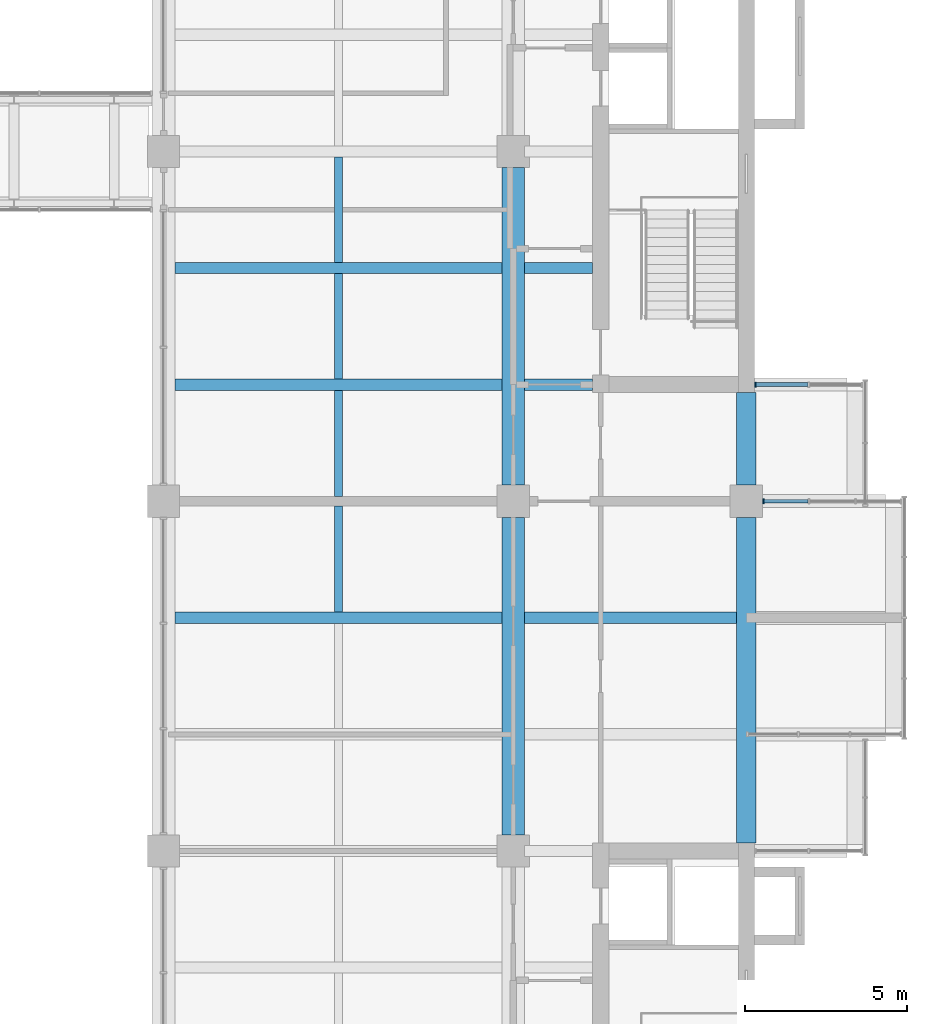
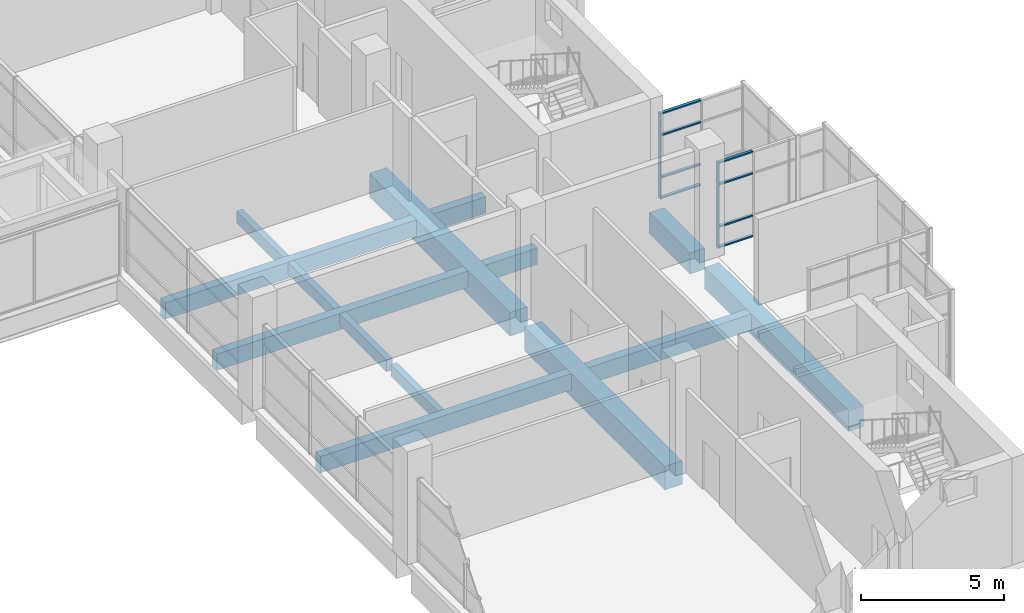
# One storey, part 7 of 35: 14 beams, 10 members, 2 elements without a shape of their own.
"""IFC4 building model written with IfcOpenShell, lengths in metres."""

from ifc_helpers import new_model, si_unit, direction, frame, origin, origin_2d, place, context, subcontext, project, spatial, rectangle, extrude, material, layer, layer_set, material_profile, profile_set, type_object, element, aggregate, save


model = new_model("IFC4")

# Units and contexts
model_context = context("Model", 3, precision=1e-05, world=origin(), true_north=direction((0.0, 1.0)))
body_context = subcontext(model_context, "Body", "Model", "MODEL_VIEW")
ifc_project = project(units=[si_unit("LENGTHUNIT", "METRE"), si_unit("AREAUNIT", "SQUARE_METRE"), si_unit("VOLUMEUNIT", "CUBIC_METRE"), si_unit("PLANEANGLEUNIT", "RADIAN"), si_unit("MASSUNIT", "GRAM", prefix="KILO")], contexts=[model_context])

# Site, building, storey
site_placement = place(None, origin())
site = spatial("IfcSite", under=ifc_project, at=site_placement, CompositionType="ELEMENT")
building_placement = place(site_placement, origin())
building = spatial("IfcBuilding", under=site, at=building_placement, Name="Basin Gate Institute", CompositionType="ELEMENT")
storey_placement = place(building_placement, frame((0.0, 0.0, 31.800048828125)))
storey = spatial("IfcBuildingStorey", under=building, at=storey_placement, Name="L06", CompositionType="ELEMENT", Elevation=31.800048828125)

# Beams
ifc_material_1 = material(Name="Concrete 40 MPa", Category="concrete")
ifc_material_profile_1 = material_profile(ifc_material_1, rectangle(XDim=0.35009765625, YDim=0.699951171875, at=origin_2d()), Name="Beam B1 350 x 700")
ifc_profile_set_1 = profile_set([ifc_material_profile_1], Name="Concrete 40 MPa")
beam_type_1 = type_object("IfcBeamType", Name="Beam B1 R120", PredefinedType="BEAM", material=ifc_profile_set_1)
beam_1_placement = place(storey_placement, frame((111.25, 53.10009765625, -0.60009765625), z_axis=(-1.0, 0.0, 0.0), x_axis=(0.0, -1.0, 0.0)))
element("IfcBeam", 1, at=beam_1_placement, inside=storey, type_object=beam_type_1, material=ifc_profile_set_1, Name="BEAM/L06/E/EW/06", PredefinedType="BEAM", context=body_context, shape_type="SweptSolid", body=[
    extrude(rectangle(XDim=0.35009765625, YDim=0.699951171875, at=origin_2d()), origin(), (0.0, 0.0, 1.0), 10.10009765625),
])
beam_2_placement = place(storey_placement, frame((118.5, 53.10009765625, -0.60009765625), z_axis=(-1.0, 0.0, 0.0), x_axis=(0.0, -1.0, 0.0)))
element("IfcBeam", 2, at=beam_2_placement, inside=storey, type_object=beam_type_1, material=ifc_profile_set_1, Name="BEAM/L06/E/OUT/06", PredefinedType="BEAM", context=body_context, shape_type="SweptSolid", body=[
    extrude(rectangle(XDim=0.35009765625, YDim=0.699951171875, at=origin_2d()), origin(), (0.0, 0.0, 1.0), 6.550048828125),
])
beam_3_placement = place(storey_placement, frame((111.25, 60.300048828125, -0.60009765625), z_axis=(-1.0, 0.0, 0.0), x_axis=(0.0, -1.0, 0.0)))
element("IfcBeam", 3, at=beam_3_placement, inside=storey, type_object=beam_type_1, material=ifc_profile_set_1, Name="BEAM/L06/E/EW/08", PredefinedType="BEAM", context=body_context, shape_type="SweptSolid", body=[
    extrude(rectangle(XDim=0.35009765625, YDim=0.699951171875, at=origin_2d()), origin(), (0.0, 0.0, 1.0), 10.10009765625),
])
beam_4_placement = place(storey_placement, frame((114.050048828125, 60.300048828125, -0.60009765625), z_axis=(-1.0, 0.0, 0.0), x_axis=(0.0, -1.0, 0.0)))
element("IfcBeam", 4, at=beam_4_placement, inside=storey, type_object=beam_type_1, material=ifc_profile_set_1, Name="BEAM/L06/E/CORR/08", PredefinedType="BEAM", context=body_context, shape_type="SweptSolid", body=[
    extrude(rectangle(XDim=0.35009765625, YDim=0.699951171875, at=origin_2d()), origin(), (0.0, 0.0, 1.0), 2.10009765625),
])
beam_5_placement = place(storey_placement, frame((111.25, 63.89990234375, -0.60009765625), z_axis=(-1.0, 0.0, 0.0), x_axis=(0.0, -1.0, 0.0)))
element("IfcBeam", 5, at=beam_5_placement, inside=storey, type_object=beam_type_1, material=ifc_profile_set_1, Name="BEAM/L06/E/EW/09", PredefinedType="BEAM", context=body_context, shape_type="SweptSolid", body=[
    extrude(rectangle(XDim=0.35009765625, YDim=0.699951171875, at=origin_2d()), origin(), (0.0, 0.0, 1.0), 10.10009765625),
])
beam_6_placement = place(storey_placement, frame((114.050048828125, 63.89990234375, -0.60009765625), z_axis=(-1.0, 0.0, 0.0), x_axis=(0.0, -1.0, 0.0)))
element("IfcBeam", 6, at=beam_6_placement, inside=storey, type_object=beam_type_1, material=ifc_profile_set_1, Name="BEAM/L06/E/CORR/09", PredefinedType="BEAM", context=body_context, shape_type="SweptSolid", body=[
    extrude(rectangle(XDim=0.35009765625, YDim=0.699951171875, at=origin_2d()), origin(), (0.0, 0.0, 1.0), 2.10009765625),
])
ifc_material_2 = material(Name="Concrete 50 MPa", Category="concrete")
ifc_material_profile_2 = material_profile(ifc_material_2, rectangle(XDim=0.60009765625, YDim=0.89990234375, at=origin_2d()), Name="Edge beam EB1 600 x 900")
ifc_profile_set_2 = profile_set([ifc_material_profile_2], Name="Concrete 50 MPa")
beam_type_2 = type_object("IfcBeamType", Name="Edge beam EB1 R120", PredefinedType="SPANDREL", material=ifc_profile_set_2)
beam_7_placement = place(storey_placement, frame((118.800048828125, 46.14990234375, -0.699951171875), z_axis=(0.0, 1.0, 0.0), x_axis=(-1.0, 0.0, 0.0)))
element("IfcBeam", 7, at=beam_7_placement, inside=storey, type_object=beam_type_2, material=ifc_profile_set_2, Name="BEAM/L06/E/EDGE/1", PredefinedType="SPANDREL", context=body_context, shape_type="SweptSolid", body=[
    extrude(rectangle(XDim=0.60009765625, YDim=0.89990234375, at=origin_2d()), origin(), (0.0, 0.0, 1.0), 10.050048828125),
])
ifc_material_3 = material(Name="Concrete 50 MPa", Category="concrete")
ifc_material_profile_3 = material_profile(ifc_material_3, rectangle(XDim=0.60009765625, YDim=0.89990234375, at=origin_2d()), Name="Edge return beam EB3 600 x 900")
ifc_profile_set_3 = profile_set([ifc_material_profile_3], Name="Concrete 50 MPa")
beam_type_3 = type_object("IfcBeamType", Name="Edge return beam EB3 R120", PredefinedType="SPANDREL", material=ifc_profile_set_3)
beam_8_placement = place(storey_placement, frame((118.800048828125, 57.199951171875, -0.699951171875), z_axis=(0.0, 1.0, 0.0), x_axis=(-1.0, 0.0, 0.0)))
element("IfcBeam", 8, at=beam_8_placement, inside=storey, type_object=beam_type_3, material=ifc_profile_set_3, Name="BEAM/L06/E/EDGE/2", PredefinedType="SPANDREL", context=body_context, shape_type="SweptSolid", body=[
    extrude(rectangle(XDim=0.60009765625, YDim=0.89990234375, at=origin_2d()), origin(), (0.0, 0.0, 1.0), 2.85009765625),
])
ifc_material_4 = material(Name="Concrete 50 MPa", Category="concrete")
ifc_material_profile_4 = material_profile(ifc_material_4, rectangle(XDim=0.699951171875, YDim=1.0, at=origin_2d()), Name="Girder G1 700 x 1000")
ifc_profile_set_4 = profile_set([ifc_material_profile_4], Name="Concrete 50 MPa")
beam_type_4 = type_object("IfcBeamType", Name="Girder G1 R120", PredefinedType="BEAM", material=ifc_profile_set_4)
for number, where, z_axis, x_axis, name in (
    (9, (111.60009765625, 46.39990234375, -0.75), (0.0, 1.0, 0.0), (-1.0, 0.0, 0.0), "GIR/L06/E8/2"),
    (10, (111.60009765625, 57.199951171875, -0.75), (0.0, 1.0, 0.0), (-1.0, 0.0, 0.0), "GIR/L06/E8/3"),
):
    element("IfcBeam", number, at=place(storey_placement, frame(where, z_axis=z_axis, x_axis=x_axis)), inside=storey, type_object=beam_type_4, material=ifc_profile_set_4, Name=name, PredefinedType="BEAM", context=body_context, shape_type="SweptSolid", body=[
        extrude(rectangle(XDim=0.699951171875, YDim=1.0, at=origin_2d()), origin(), (0.0, 0.0, 1.0), 9.800048828125),
    ])

# Curtain wall, member
ifc_material_5 = material(Name="Aluminium-framed glazing", Category="aluminium")
ifc_layer = layer(ifc_material_5, 0.14990234375)
ifc_layer_set = layer_set([ifc_layer], Name="Capsule front curtain wall CW1")
curtain_wall_type = type_object("IfcCurtainWallType", Name="Capsule front curtain wall CW1", PredefinedType="NOTDEFINED", material=ifc_layer_set)
curtain_wall_1_placement = place(storey_placement, origin())
curtain_wall_1 = element("IfcCurtainWall", 11, at=curtain_wall_1_placement, inside=storey, type_object=curtain_wall_type, material=ifc_layer_set, Name="Capsule front curtain wall E wing capsule end L06 line 7", PredefinedType="NOTDEFINED")
ifc_material_6 = material(Name="Aluminium", Category="aluminium")
ifc_material_profile_5 = material_profile(ifc_material_6, rectangle(XDim=0.14990234375, YDim=0.050048828125, at=origin_2d()), Name="Mullion MU1 150 x 50")
ifc_profile_set_5 = profile_set([ifc_material_profile_5], Name="Aluminium")
member_type_1 = type_object("IfcMemberType", Name="Mullion MU1", PredefinedType="MULLION", material=ifc_profile_set_5)
member_1_placement = place(storey_placement, frame((119.324951171875, 56.699951171875, 0.0), z_axis=(0.0, 0.0, 1.0), x_axis=(0.0, -1.0, 0.0)))
member_1 = element("IfcMember", 12, at=member_1_placement, type_object=member_type_1, material=ifc_profile_set_5, Name="CW1 mullion 4", PredefinedType="MULLION", context=body_context, shape_type="SweptSolid", body=[
    extrude(rectangle(XDim=0.14990234375, YDim=0.050048828125, at=origin_2d()), origin(), (0.0, 0.0, 1.0), 3.64990234375),
])

curtain_wall_2_placement = place(storey_placement, origin())
curtain_wall_2 = element("IfcCurtainWall", 13, at=curtain_wall_2_placement, inside=storey, type_object=curtain_wall_type, material=ifc_layer_set, Name="Capsule front curtain wall E wing capsule end L06 line 8", PredefinedType="NOTDEFINED")
member_2_placement = place(storey_placement, frame((119.074951171875, 60.300048828125, 0.0), z_axis=(0.0, 0.0, 1.0), x_axis=(0.0, -1.0, 0.0)))
member_2 = element("IfcMember", 14, at=member_2_placement, type_object=member_type_1, material=ifc_profile_set_5, Name="CW1 mullion 3", PredefinedType="MULLION", context=body_context, shape_type="SweptSolid", body=[
    extrude(rectangle(XDim=0.14990234375, YDim=0.050048828125, at=origin_2d()), origin(), (0.0, 0.0, 1.0), 3.64990234375),
])

# Beams
ifc_material_7 = material(Name="Concrete 40 MPa", Category="concrete")
ifc_material_profile_6 = material_profile(ifc_material_7, rectangle(XDim=0.25, YDim=0.5, at=origin_2d()), Name="Rib R1 250 x 500")
ifc_profile_set_6 = profile_set([ifc_material_profile_6], Name="Concrete 40 MPa")
beam_type_5 = type_object("IfcBeamType", Name="Rib R1 R120", PredefinedType="JOIST", material=ifc_profile_set_6)
beam_9_placement = place(storey_placement, frame((106.199951171875, 53.27490234375, -0.5), z_axis=(0.0, 1.0, 0.0), x_axis=(-1.0, 0.0, 0.0)))
element("IfcBeam", 15, at=beam_9_placement, inside=storey, type_object=beam_type_5, material=ifc_profile_set_6, Name="BEAM/L06/E/RIB/06", PredefinedType="JOIST", context=body_context, shape_type="SweptSolid", body=[
    extrude(rectangle(XDim=0.25, YDim=0.5, at=origin_2d()), origin(), (0.0, 0.0, 1.0), 3.275146484375),
])
beam_10_placement = place(storey_placement, frame((106.199951171875, 56.85009765625, -0.5), z_axis=(0.0, 1.0, 0.0), x_axis=(-1.0, 0.0, 0.0)))
element("IfcBeam", 16, at=beam_10_placement, inside=storey, type_object=beam_type_5, material=ifc_profile_set_6, Name="BEAM/L06/E/RIB/07", PredefinedType="JOIST", context=body_context, shape_type="SweptSolid", body=[
    extrude(rectangle(XDim=0.25, YDim=0.5, at=origin_2d()), origin(), (0.0, 0.0, 1.0), 3.27490234375),
])
for number, where, z_axis, x_axis, name in (
    (17, (106.199951171875, 60.47509765625, -0.5), (0.0, 1.0, 0.0), (-1.0, 0.0, 0.0), "BEAM/L06/E/RIB/08"),
    (18, (106.199951171875, 64.074951171875, -0.5), (0.0, 1.0, 0.0), (-1.0, 0.0, 0.0), "BEAM/L06/E/RIB/09"),
):
    element("IfcBeam", number, at=place(storey_placement, frame(where, z_axis=z_axis, x_axis=x_axis)), inside=storey, type_object=beam_type_5, material=ifc_profile_set_6, Name=name, PredefinedType="JOIST", context=body_context, shape_type="SweptSolid", body=[
        extrude(rectangle(XDim=0.25, YDim=0.5, at=origin_2d()), origin(), (0.0, 0.0, 1.0), 3.25),
    ])

# Member
ifc_material_8 = material(Name="Aluminium", Category="aluminium")
ifc_material_profile_7 = material_profile(ifc_material_8, rectangle(XDim=0.1201171875, YDim=0.06005859375, at=origin_2d()), Name="Transom TR1 120 x 60")
ifc_profile_set_7 = profile_set([ifc_material_profile_7], Name="Aluminium")
member_type_2 = type_object("IfcMemberType", Name="Transom TR1", PredefinedType="USERDEFINED", material=ifc_profile_set_7)
member_3_placement = place(storey_placement, frame((120.708251953125, 56.699951171875, 0.030029296875), z_axis=(-1.0, 0.0, 0.0), x_axis=(0.0, -1.0, 0.0)))
member_3 = element("IfcMember", 19, at=member_3_placement, type_object=member_type_2, material=ifc_profile_set_7, Name="CW1 transom 3.1", ObjectType="TRANSOM", PredefinedType="USERDEFINED", context=body_context, shape_type="SweptSolid", body=[
    extrude(rectangle(XDim=0.1201171875, YDim=0.06005859375, at=origin_2d()), origin(), (0.0, 0.0, 1.0), 1.358154296875),
])

member_4_placement = place(storey_placement, frame((120.708251953125, 56.699951171875, 0.89990234375), z_axis=(-1.0, 0.0, 0.0), x_axis=(0.0, -1.0, 0.0)))
member_4 = element("IfcMember", 20, at=member_4_placement, type_object=member_type_2, material=ifc_profile_set_7, Name="CW1 transom 3.2", ObjectType="TRANSOM", PredefinedType="USERDEFINED", context=body_context, shape_type="SweptSolid", body=[
    extrude(rectangle(XDim=0.1201171875, YDim=0.06005859375, at=origin_2d()), origin(), (0.0, 0.0, 1.0), 1.358154296875),
])

member_5_placement = place(storey_placement, frame((120.708251953125, 56.699951171875, 2.699951171875), z_axis=(-1.0, 0.0, 0.0), x_axis=(0.0, -1.0, 0.0)))
member_5 = element("IfcMember", 21, at=member_5_placement, type_object=member_type_2, material=ifc_profile_set_7, Name="CW1 transom 3.3", ObjectType="TRANSOM", PredefinedType="USERDEFINED", context=body_context, shape_type="SweptSolid", body=[
    extrude(rectangle(XDim=0.1201171875, YDim=0.06005859375, at=origin_2d()), origin(), (0.0, 0.0, 1.0), 1.358154296875),
])

member_6_placement = place(storey_placement, frame((120.708251953125, 56.699951171875, 3.619873046875), z_axis=(-1.0, 0.0, 0.0), x_axis=(0.0, -1.0, 0.0)))
member_6 = element("IfcMember", 22, at=member_6_placement, type_object=member_type_2, material=ifc_profile_set_7, Name="CW1 transom 3.4", ObjectType="TRANSOM", PredefinedType="USERDEFINED", context=body_context, shape_type="SweptSolid", body=[
    extrude(rectangle(XDim=0.1201171875, YDim=0.06005859375, at=origin_2d()), origin(), (0.0, 0.0, 1.0), 1.358154296875),
])

aggregate(curtain_wall_1, [member_1, member_3, member_4, member_5, member_6])

member_7_placement = place(storey_placement, frame((120.699951171875, 60.300048828125, 0.030029296875), z_axis=(-1.0, 0.0, 0.0), x_axis=(0.0, -1.0, 0.0)))
member_7 = element("IfcMember", 23, at=member_7_placement, type_object=member_type_2, material=ifc_profile_set_7, Name="CW1 transom 2.1", ObjectType="TRANSOM", PredefinedType="USERDEFINED", context=body_context, shape_type="SweptSolid", body=[
    extrude(rectangle(XDim=0.1201171875, YDim=0.06005859375, at=origin_2d()), origin(), (0.0, 0.0, 1.0), 1.599853515625),
])

member_8_placement = place(storey_placement, frame((120.699951171875, 60.300048828125, 0.89990234375), z_axis=(-1.0, 0.0, 0.0), x_axis=(0.0, -1.0, 0.0)))
member_8 = element("IfcMember", 24, at=member_8_placement, type_object=member_type_2, material=ifc_profile_set_7, Name="CW1 transom 2.2", ObjectType="TRANSOM", PredefinedType="USERDEFINED", context=body_context, shape_type="SweptSolid", body=[
    extrude(rectangle(XDim=0.1201171875, YDim=0.06005859375, at=origin_2d()), origin(), (0.0, 0.0, 1.0), 1.599853515625),
])

member_9_placement = place(storey_placement, frame((120.699951171875, 60.300048828125, 2.699951171875), z_axis=(-1.0, 0.0, 0.0), x_axis=(0.0, -1.0, 0.0)))
member_9 = element("IfcMember", 25, at=member_9_placement, type_object=member_type_2, material=ifc_profile_set_7, Name="CW1 transom 2.3", ObjectType="TRANSOM", PredefinedType="USERDEFINED", context=body_context, shape_type="SweptSolid", body=[
    extrude(rectangle(XDim=0.1201171875, YDim=0.06005859375, at=origin_2d()), origin(), (0.0, 0.0, 1.0), 1.599853515625),
])

member_10_placement = place(storey_placement, frame((120.699951171875, 60.300048828125, 3.619873046875), z_axis=(-1.0, 0.0, 0.0), x_axis=(0.0, -1.0, 0.0)))
member_10 = element("IfcMember", 26, at=member_10_placement, type_object=member_type_2, material=ifc_profile_set_7, Name="CW1 transom 2.4", ObjectType="TRANSOM", PredefinedType="USERDEFINED", context=body_context, shape_type="SweptSolid", body=[
    extrude(rectangle(XDim=0.1201171875, YDim=0.06005859375, at=origin_2d()), origin(), (0.0, 0.0, 1.0), 1.599853515625),
])

aggregate(curtain_wall_2, [member_2, member_7, member_8, member_9, member_10])

save(model, "model.ifc")
